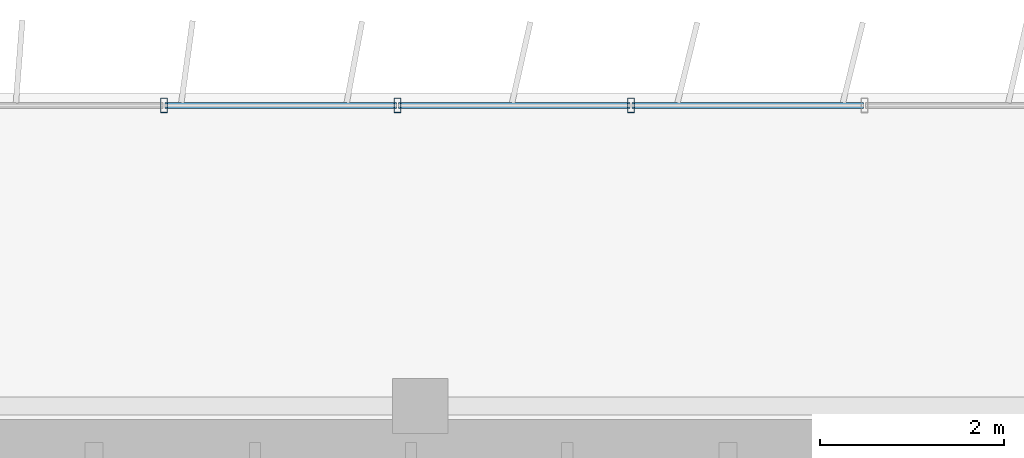
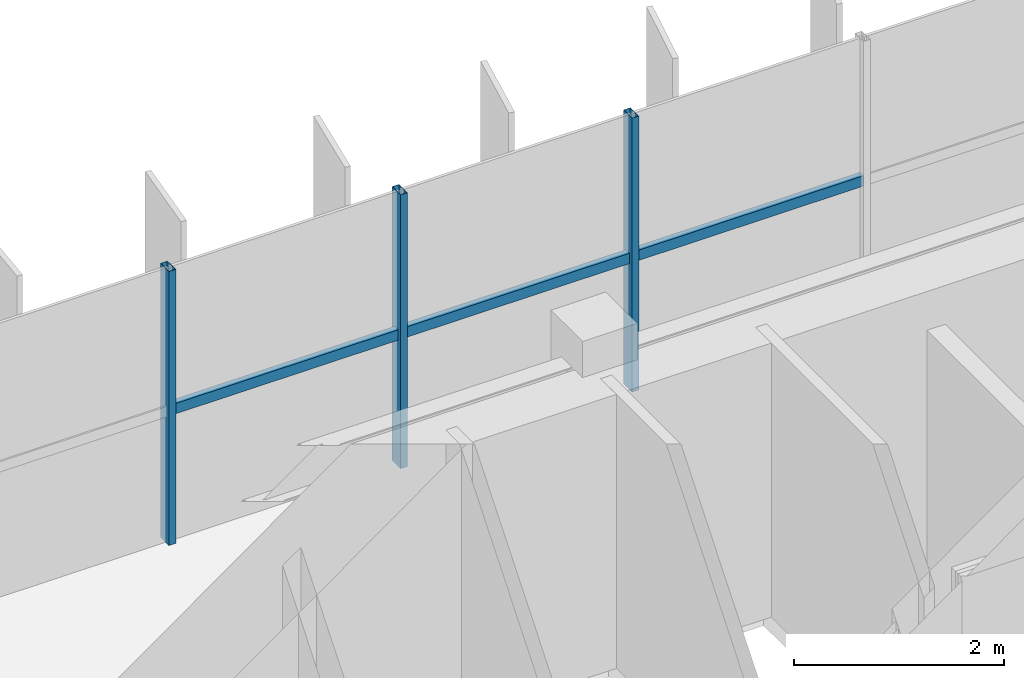
# One storey, part 15 of 26: 6 members, 1 element without a shape of its own.
"""IFC4 building model written with IfcOpenShell, lengths in metres."""

from ifc_helpers import new_model, si_unit, direction, frame, origin, origin_2d, place, context, subcontext, project, spatial, hollow_rectangle, extrude, source, transform, mapped, material, material_profile, profile_set, type_object, element, aggregate, save


model = new_model("IFC4")

# Units and contexts
model_context = context("Model", 3, precision=1e-05, world=origin(), true_north=direction((0.0, 1.0)))
body_context = subcontext(model_context, "Body", "Model", "MODEL_VIEW")
ifc_project = project(units=[si_unit("LENGTHUNIT", "METRE"), si_unit("AREAUNIT", "SQUARE_METRE"), si_unit("VOLUMEUNIT", "CUBIC_METRE"), si_unit("PLANEANGLEUNIT", "RADIAN"), si_unit("MASSUNIT", "GRAM", prefix="KILO")], contexts=[model_context])

# Site, building, storey
site_placement = place(None, origin())
site = spatial("IfcSite", under=ifc_project, at=site_placement, CompositionType="ELEMENT")
building_placement = place(site_placement, origin())
building = spatial("IfcBuilding", under=site, at=building_placement, Name="Trelvane Seafront Commons", CompositionType="ELEMENT")
storey_placement = place(building_placement, frame((0.0, 0.0, 291.89990234375)))
storey = spatial("IfcBuildingStorey", under=building, at=storey_placement, Name="L76", CompositionType="ELEMENT", Elevation=291.89990234375)

# Curtain wall, members
ifc_material = material(Name="Anodised pale-silver aluminium", Category="aluminium")
curtain_wall_type = type_object("IfcCurtainWallType", Name="ARCH-CW5-UPTOWER", PredefinedType="NOTDEFINED", material=ifc_material)
curtain_wall_placement = place(storey_placement, origin())
curtain_wall = element("IfcCurtainWall", 1, at=curtain_wall_placement, inside=storey, type_object=curtain_wall_type, Name="CW-L76-0120", PredefinedType="NOTDEFINED")
ifc_material_profile_1 = material_profile(ifc_material, hollow_rectangle(XDim=0.070068359375, YDim=0.1201171875, WallThickness=0.00390625, at=origin_2d()), Name="TRAN-70x120x4")
ifc_profile_set_1 = profile_set([ifc_material_profile_1], Name="Anodised pale-silver aluminium")
member_type_1 = type_object("IfcMemberType", Name="ARCH-CW-TRAN-120", PredefinedType="USERDEFINED", material=ifc_profile_set_1)
shared_shape_1 = source(origin(), body_context, "Body", "SweptSolid", [
    extrude(hollow_rectangle(XDim=0.070068359375, YDim=0.1201171875, WallThickness=0.00390625, at=origin_2d()), origin(), (0.0, 0.0, 1.0), 2.51708984375),
])
member_1_placement = place(storey_placement, frame((43.56494140625, 48.3701171875, 1.526123046875), z_axis=(1.0, 0.0, 0.0), x_axis=(0.0, 1.0, 0.0)))
member_1 = element("IfcMember", 2, at=member_1_placement, type_object=member_type_1, Name="CW-L76-0120-T11", ObjectType="TRANSOM", PredefinedType="USERDEFINED", context=body_context, shape_type="MappedRepresentation", body=[
    mapped(shared_shape_1, transform((0.0, 0.0, 0.0), x_axis=(1.0, 0.0, 0.0), y_axis=(0.0, 1.0, 0.0), z_axis=(0.0, 0.0, 1.0), scale=1.0)),
])
member_2_placement = place(storey_placement, frame((46.106201171875, 48.3701171875, 1.526123046875), z_axis=(1.0, 0.0, 0.0), x_axis=(0.0, 1.0, 0.0)))
member_2 = element("IfcMember", 3, at=member_2_placement, type_object=member_type_1, Name="CW-L76-0120-T12", ObjectType="TRANSOM", PredefinedType="USERDEFINED", context=body_context, shape_type="MappedRepresentation", body=[
    mapped(shared_shape_1, transform((0.0, 0.0, 0.0), x_axis=(1.0, 0.0, 0.0), y_axis=(0.0, 1.0, 0.0), z_axis=(0.0, 0.0, 1.0), scale=1.0)),
])
shared_shape_2 = source(origin(), body_context, "Body", "SweptSolid", [
    extrude(hollow_rectangle(XDim=0.070068359375, YDim=0.1201171875, WallThickness=0.00390625, at=origin_2d()), origin(), (0.0, 0.0, 1.0), 2.517333984375),
])
member_3_placement = place(storey_placement, frame((41.023681640625, 48.3701171875, 1.526123046875), z_axis=(1.0, 0.0, 0.0), x_axis=(0.0, 1.0, 0.0)))
member_3 = element("IfcMember", 4, at=member_3_placement, type_object=member_type_1, Name="CW-L76-0120-T10", ObjectType="TRANSOM", PredefinedType="USERDEFINED", context=body_context, shape_type="MappedRepresentation", body=[
    mapped(shared_shape_2, transform((0.0, 0.0, 0.0), x_axis=(1.0, 0.0, 0.0), y_axis=(0.0, 1.0, 0.0), z_axis=(0.0, 0.0, 1.0), scale=1.0)),
])
ifc_material_profile_2 = material_profile(ifc_material, hollow_rectangle(XDim=0.074951171875, YDim=0.159912109375, WallThickness=0.00390625, at=origin_2d()), Name="MULL-75x160x4")
ifc_profile_set_2 = profile_set([ifc_material_profile_2], Name="Anodised pale-silver aluminium")
member_type_2 = type_object("IfcMemberType", Name="ARCH-CW-MULL-160", PredefinedType="MULLION", material=ifc_profile_set_2)
shared_shape_3 = source(origin(), body_context, "Body", "SweptSolid", [
    extrude(hollow_rectangle(XDim=0.074951171875, YDim=0.159912109375, WallThickness=0.00390625, at=origin_2d()), origin(), (0.0, 0.0, 1.0), 3.18017578125),
])
member_4_placement = place(storey_placement, frame((41.01171875, 48.3701171875, 0.0), z_axis=(0.0, 0.0, 1.0), x_axis=(1.0, 0.0, 0.0)))
member_4 = element("IfcMember", 5, at=member_4_placement, type_object=member_type_2, Name="CW-L76-0120-M10", PredefinedType="MULLION", context=body_context, shape_type="MappedRepresentation", body=[
    mapped(shared_shape_3, transform((0.0, 0.0, 0.0), x_axis=(1.0, 0.0, 0.0), y_axis=(0.0, 1.0, 0.0), z_axis=(0.0, 0.0, 1.0), scale=1.0)),
])
member_5_placement = place(storey_placement, frame((43.552978515625, 48.3701171875, 0.0), z_axis=(0.0, 0.0, 1.0), x_axis=(1.0, 0.0, 0.0)))
member_5 = element("IfcMember", 6, at=member_5_placement, type_object=member_type_2, Name="CW-L76-0120-M11", PredefinedType="MULLION", context=body_context, shape_type="MappedRepresentation", body=[
    mapped(shared_shape_3, transform((0.0, 0.0, 0.0), x_axis=(1.0, 0.0, 0.0), y_axis=(0.0, 1.0, 0.0), z_axis=(0.0, 0.0, 1.0), scale=1.0)),
])
member_6_placement = place(storey_placement, frame((46.093994140625, 48.3701171875, 0.0), z_axis=(0.0, 0.0, 1.0), x_axis=(1.0, 0.0, 0.0)))
member_6 = element("IfcMember", 7, at=member_6_placement, type_object=member_type_2, Name="CW-L76-0120-M12", PredefinedType="MULLION", context=body_context, shape_type="MappedRepresentation", body=[
    mapped(shared_shape_3, transform((0.0, 0.0, 0.0), x_axis=(1.0, 0.0, 0.0), y_axis=(0.0, 1.0, 0.0), z_axis=(0.0, 0.0, 1.0), scale=1.0)),
])
aggregate(curtain_wall, [member_4, member_5, member_6, member_3, member_1, member_2])

save(model, "model.ifc")
